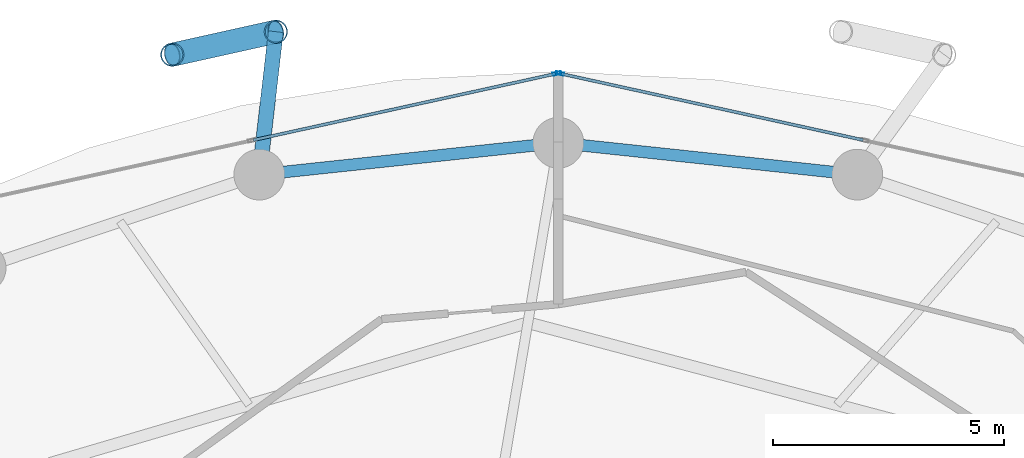
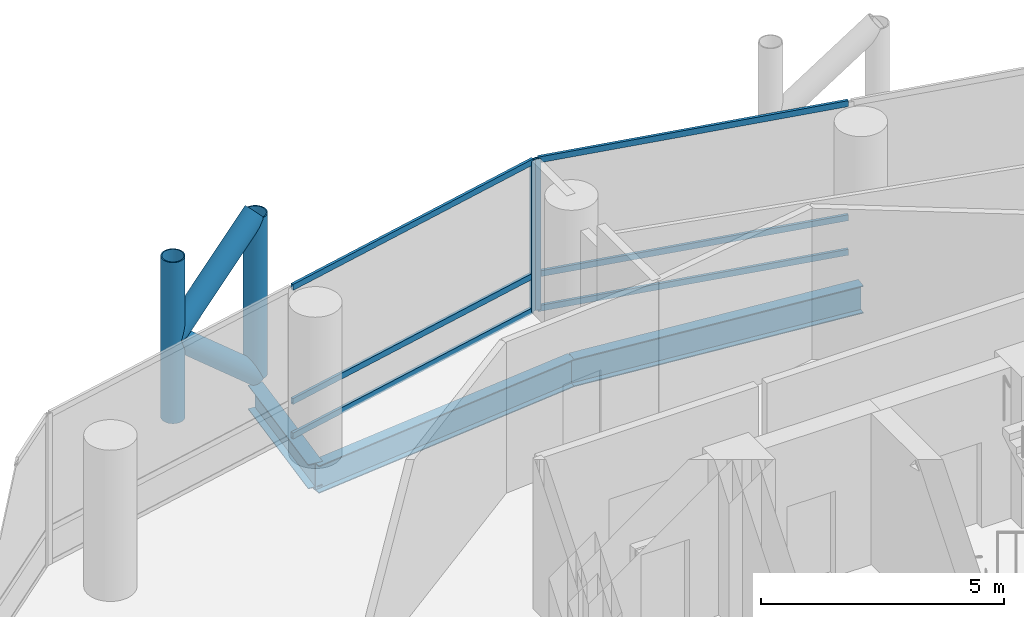
# One storey, part 16 of 24: 12 members, 3 beams, 2 elements without a shape of their own.
"""IFC4 building model written with IfcOpenShell, lengths in metres."""

from ifc_helpers import new_model, si_unit, direction, frame, origin, origin_2d, place, context, subcontext, project, spatial, hollow_rectangle, hollow_circle, i_section, extrude, material, layer, layer_set, material_profile, profile_set, type_object, element, aggregate, save


model = new_model("IFC4")

# Units and contexts
model_context = context("Model", 3, precision=1e-05, world=origin(), true_north=direction((0.0, 1.0)))
body_context = subcontext(model_context, "Body", "Model", "MODEL_VIEW")
ifc_project = project(units=[si_unit("LENGTHUNIT", "METRE"), si_unit("AREAUNIT", "SQUARE_METRE"), si_unit("VOLUMEUNIT", "CUBIC_METRE"), si_unit("PLANEANGLEUNIT", "RADIAN"), si_unit("MASSUNIT", "GRAM", prefix="KILO")], contexts=[model_context])

# Site, building, storey
site_placement = place(None, origin())
site = spatial("IfcSite", under=ifc_project, at=site_placement, CompositionType="ELEMENT")
building_placement = place(site_placement, origin())
building = spatial("IfcBuilding", under=site, at=building_placement, Name="Nuhasar Tower", CompositionType="ELEMENT")
storey_placement = place(building_placement, frame((0.0, 0.0, 77.699951171875)))
storey = spatial("IfcBuildingStorey", under=building, at=storey_placement, Name="L18", CompositionType="ELEMENT", Elevation=77.699951171875)

# Beams
ifc_material_1 = material(Name="Steel S355", Category="steel")
ifc_material_profile_1 = material_profile(ifc_material_1, i_section(OverallWidth=0.256103515625, OverallDepth=0.693115234375, WebThickness=0.014404296875, FlangeThickness=0.023681640625, at=origin_2d()), Name="W27X114")
ifc_profile_set_1 = profile_set([ifc_material_profile_1], Name="Steel S355")
beam_type_1 = type_object("IfcBeamType", Name="BM-RING-W27X114", PredefinedType="SPANDREL", material=ifc_profile_set_1)
for number, where, z_axis, x_axis, name in (
    (1, (45.48291015625, 46.360107421875, -0.596923828125), (-0.994384554061, 0.105827022286, 0.0), (-0.105827022286, -0.994384554061, 0.0), "L18 Perimeter Ring Spandrel 06"),
    (2, (39.0, 47.050048828125, -0.596923828125), (-0.994384554061, -0.105827022286, 0.0), (0.105827022286, -0.994384554061, 0.0), "L18 Perimeter Ring Spandrel 07"),
):
    element("IfcBeam", number, at=place(storey_placement, frame(where, z_axis=z_axis, x_axis=x_axis)), inside=storey, type_object=beam_type_1, Name=name, PredefinedType="SPANDREL", context=body_context, shape_type="SweptSolid", body=[
        extrude(i_section(OverallWidth=0.256103515625, OverallDepth=0.693115234375, WebThickness=0.014404296875, FlangeThickness=0.023681640625, at=origin_2d()), origin(), (0.0, 0.0, 1.0), 6.51953125),
    ])
ifc_material_profile_2 = material_profile(ifc_material_1, i_section(OverallWidth=0.323974609375, OverallDepth=0.611083984375, WebThickness=0.0126953125, FlangeThickness=0.01904296875, at=origin_2d()), Name="W24X104")
ifc_profile_set_2 = profile_set([ifc_material_profile_2], Name="Steel S355")
beam_type_2 = type_object("IfcBeamType", Name="BM-TIE-W24X104", PredefinedType="BEAM", material=ifc_profile_set_2)
beam_placement = place(storey_placement, frame((32.51708984375, 46.360107421875, -0.554931640625), z_axis=(0.115042934281, 0.993360520291, 0.0), x_axis=(-0.993360520291, 0.115042934281, 0.0)))
element("IfcBeam", 3, at=beam_placement, inside=storey, type_object=beam_type_2, Name="L18 Exoskeleton Node Tie Beam 04", PredefinedType="BEAM", context=body_context, shape_type="SweptSolid", body=[
    extrude(i_section(OverallWidth=0.323974609375, OverallDepth=0.611083984375, WebThickness=0.0126953125, FlangeThickness=0.01904296875, at=origin_2d()), origin(), (0.0, 0.0, 1.0), 3.11962890625),
])

# Curtain wall, member
ifc_material_2 = material(Name="Aluminium 6063-T6", Category="aluminium")
ifc_layer = layer(ifc_material_2, 0.199951171875)
ifc_layer_set = layer_set([ifc_layer], Name="Aluminium 6063-T6")
curtain_wall_type = type_object("IfcCurtainWallType", Name="CW-Z1-OFF", PredefinedType="NOTDEFINED", material=ifc_layer_set)
curtain_wall_1_placement = place(storey_placement, origin())
curtain_wall_1 = element("IfcCurtainWall", 4, at=curtain_wall_1_placement, inside=storey, type_object=curtain_wall_type, Name="L18 Unitised Curtain Wall 03", PredefinedType="NOTDEFINED")
ifc_material_profile_3 = material_profile(ifc_material_2, hollow_rectangle(XDim=0.06494140625, YDim=0.179931640625, WallThickness=0.0048828125, at=origin_2d()), Name="CWM-2")
ifc_profile_set_3 = profile_set([ifc_material_profile_3], Name="Aluminium 6063-T6")
member_type_1 = type_object("IfcMemberType", Name="CW-MUL-S2", PredefinedType="MULLION", material=ifc_profile_set_3)
member_1_placement = place(storey_placement, frame((39.03173828125, 48.552978515625, 0.0), z_axis=(0.0, 0.0, 1.0), x_axis=(-0.214398737637, -0.976746221544, 0.0)))
member_1 = element("IfcMember", 5, at=member_1_placement, type_object=member_type_1, Name="CW-Z1 mullion 3", PredefinedType="MULLION", context=body_context, shape_type="SweptSolid", body=[
    extrude(hollow_rectangle(XDim=0.06494140625, YDim=0.179931640625, WallThickness=0.0048828125, at=origin_2d()), origin(), (0.0, 0.0, 1.0), 3.800048828125),
])

curtain_wall_2_placement = place(storey_placement, origin())
curtain_wall_2 = element("IfcCurtainWall", 6, at=curtain_wall_2_placement, inside=storey, type_object=curtain_wall_type, Name="L18 Unitised Curtain Wall 04", PredefinedType="NOTDEFINED")
member_2_placement = place(storey_placement, frame((38.96826171875, 48.552978515625, 0.0), z_axis=(0.0, 0.0, 1.0), x_axis=(0.214398737637, -0.976746221544, 0.0)))
member_2 = element("IfcMember", 7, at=member_2_placement, type_object=member_type_1, Name="CW-Z1 mullion 1", PredefinedType="MULLION", context=body_context, shape_type="SweptSolid", body=[
    extrude(hollow_rectangle(XDim=0.06494140625, YDim=0.179931640625, WallThickness=0.0048828125, at=origin_2d()), origin(), (0.0, 0.0, 1.0), 3.800048828125),
])

# Member
ifc_material_profile_4 = material_profile(ifc_material_2, hollow_rectangle(XDim=0.06494140625, YDim=0.14990234375, WallThickness=0.00439453125, at=origin_2d()), Name="CWT-2")
ifc_profile_set_4 = profile_set([ifc_material_profile_4], Name="Aluminium 6063-T6")
member_type_2 = type_object("IfcMemberType", Name="CW-TRN-S2", PredefinedType="USERDEFINED", material=ifc_profile_set_4)
member_3_placement = place(storey_placement, frame((45.608154296875, 47.109375, 0.032470703125), z_axis=(-0.976740248595, 0.214425947065, 0.0), x_axis=(-0.214425947065, -0.976740248595, 0.0)))
member_3 = element("IfcMember", 8, at=member_3_placement, type_object=member_type_2, Name="CW-Z1 transom 2.1", ObjectType="TRANSOM", PredefinedType="USERDEFINED", context=body_context, shape_type="SweptSolid", body=[
    extrude(hollow_rectangle(XDim=0.06494140625, YDim=0.14990234375, WallThickness=0.00439453125, at=origin_2d()), origin(), (0.0, 0.0, 1.0), 6.700439453125),
])

member_4_placement = place(storey_placement, frame((45.608154296875, 47.109375, 0.900146484375), z_axis=(-0.976740248595, 0.214425947065, 0.0), x_axis=(-0.214425947065, -0.976740248595, 0.0)))
member_4 = element("IfcMember", 9, at=member_4_placement, type_object=member_type_2, Name="CW-Z1 transom 2.2", ObjectType="TRANSOM", PredefinedType="USERDEFINED", context=body_context, shape_type="SweptSolid", body=[
    extrude(hollow_rectangle(XDim=0.06494140625, YDim=0.14990234375, WallThickness=0.00439453125, at=origin_2d()), origin(), (0.0, 0.0, 1.0), 6.700439453125),
])

member_5_placement = place(storey_placement, frame((45.608154296875, 47.109375, 3.767578125), z_axis=(-0.976740248595, 0.214425947065, 0.0), x_axis=(-0.214425947065, -0.976740248595, 0.0)))
member_5 = element("IfcMember", 10, at=member_5_placement, type_object=member_type_2, Name="CW-Z1 transom 2.3", ObjectType="TRANSOM", PredefinedType="USERDEFINED", context=body_context, shape_type="SweptSolid", body=[
    extrude(hollow_rectangle(XDim=0.06494140625, YDim=0.14990234375, WallThickness=0.00439453125, at=origin_2d()), origin(), (0.0, 0.0, 1.0), 6.700439453125),
])

aggregate(curtain_wall_1, [member_1, member_3, member_4, member_5])

member_6_placement = place(storey_placement, frame((38.9365234375, 48.546142578125, 0.032470703125), z_axis=(-0.976740248595, -0.214425947065, 0.0), x_axis=(0.214425947065, -0.976740248595, 0.0)))
member_6 = element("IfcMember", 11, at=member_6_placement, type_object=member_type_2, Name="CW-Z1 transom 1.1", ObjectType="TRANSOM", PredefinedType="USERDEFINED", context=body_context, shape_type="SweptSolid", body=[
    extrude(hollow_rectangle(XDim=0.06494140625, YDim=0.14990234375, WallThickness=0.00439453125, at=origin_2d()), origin(), (0.0, 0.0, 1.0), 6.700439453125),
])

member_7_placement = place(storey_placement, frame((38.9365234375, 48.546142578125, 0.900146484375), z_axis=(-0.976740248595, -0.214425947065, 0.0), x_axis=(0.214425947065, -0.976740248595, 0.0)))
member_7 = element("IfcMember", 12, at=member_7_placement, type_object=member_type_2, Name="CW-Z1 transom 1.2", ObjectType="TRANSOM", PredefinedType="USERDEFINED", context=body_context, shape_type="SweptSolid", body=[
    extrude(hollow_rectangle(XDim=0.06494140625, YDim=0.14990234375, WallThickness=0.00439453125, at=origin_2d()), origin(), (0.0, 0.0, 1.0), 6.700439453125),
])

member_8_placement = place(storey_placement, frame((38.9365234375, 48.546142578125, 3.767578125), z_axis=(-0.976740248595, -0.214425947065, 0.0), x_axis=(0.214425947065, -0.976740248595, 0.0)))
member_8 = element("IfcMember", 13, at=member_8_placement, type_object=member_type_2, Name="CW-Z1 transom 1.3", ObjectType="TRANSOM", PredefinedType="USERDEFINED", context=body_context, shape_type="SweptSolid", body=[
    extrude(hollow_rectangle(XDim=0.06494140625, YDim=0.14990234375, WallThickness=0.00439453125, at=origin_2d()), origin(), (0.0, 0.0, 1.0), 6.700439453125),
])

aggregate(curtain_wall_2, [member_2, member_6, member_7, member_8])

# Members
ifc_material_3 = material(Name="Steel S460", Category="steel")
ifc_material_profile_5 = material_profile(ifc_material_3, hollow_circle(Radius=0.25390625, WallThickness=0.025390625, at=origin_2d()), Name="HSS508X25.4")
ifc_profile_set_5 = profile_set([ifc_material_profile_5], Name="Steel S460")
member_type_3 = type_object("IfcMemberType", Name="EXO-BRONZE-508", PredefinedType="BRACE", material=ifc_profile_set_5)
for number, where, z_axis, x_axis, name in (
    (14, (32.8759765625, 49.458984375, 0.0), (0.0, 0.0, 1.0), (1.0, 0.0, 0.0), "L18 Exoskeleton Chord Column EC-04A"),
    (15, (30.6298828125, 48.9599609375, 0.0), (0.0, 0.0, 1.0), (1.0, 0.0, 0.0), "L18 Exoskeleton Chord Column EC-04B"),
):
    element("IfcMember", number, at=place(storey_placement, frame(where, z_axis=z_axis, x_axis=x_axis)), inside=storey, type_object=member_type_3, Name=name, PredefinedType="BRACE", context=body_context, shape_type="SweptSolid", body=[
        extrude(hollow_circle(Radius=0.25390625, WallThickness=0.025390625, at=origin_2d()), origin(), (0.0, 0.0, 1.0), 4.050048828125),
    ])
member_9_placement = place(storey_placement, frame((32.8759765625, 49.458984375, 0.0), z_axis=(-0.732782908552, -0.162805246204, 0.660699372439), x_axis=(0.216885517571, -0.97619704582, 0.0)))
element("IfcMember", 16, at=member_9_placement, inside=storey, type_object=member_type_3, Name="L18 Bronze Diagrid Brace W1-04", PredefinedType="BRACE", context=body_context, shape_type="SweptSolid", body=[
    extrude(hollow_circle(Radius=0.25390625, WallThickness=0.025390625, at=origin_2d()), origin(), (0.0, 0.0, 1.0), 3.065185546875),
])
member_10_placement = place(storey_placement, frame((30.6298828125, 48.9599609375, 2.025146484375), z_axis=(0.732821471909, 0.162813813976, 0.660654487828), x_axis=(-0.216885517571, 0.97619704582, 0.0)))
element("IfcMember", 17, at=member_10_placement, inside=storey, type_object=member_type_3, Name="L18 Bronze Diagrid Brace W2-04", PredefinedType="BRACE", context=body_context, shape_type="SweptSolid", body=[
    extrude(hollow_circle(Radius=0.25390625, WallThickness=0.025390625, at=origin_2d()), origin(), (0.0, 0.0, 1.0), 3.06494140625),
])

save(model, "model.ifc")
